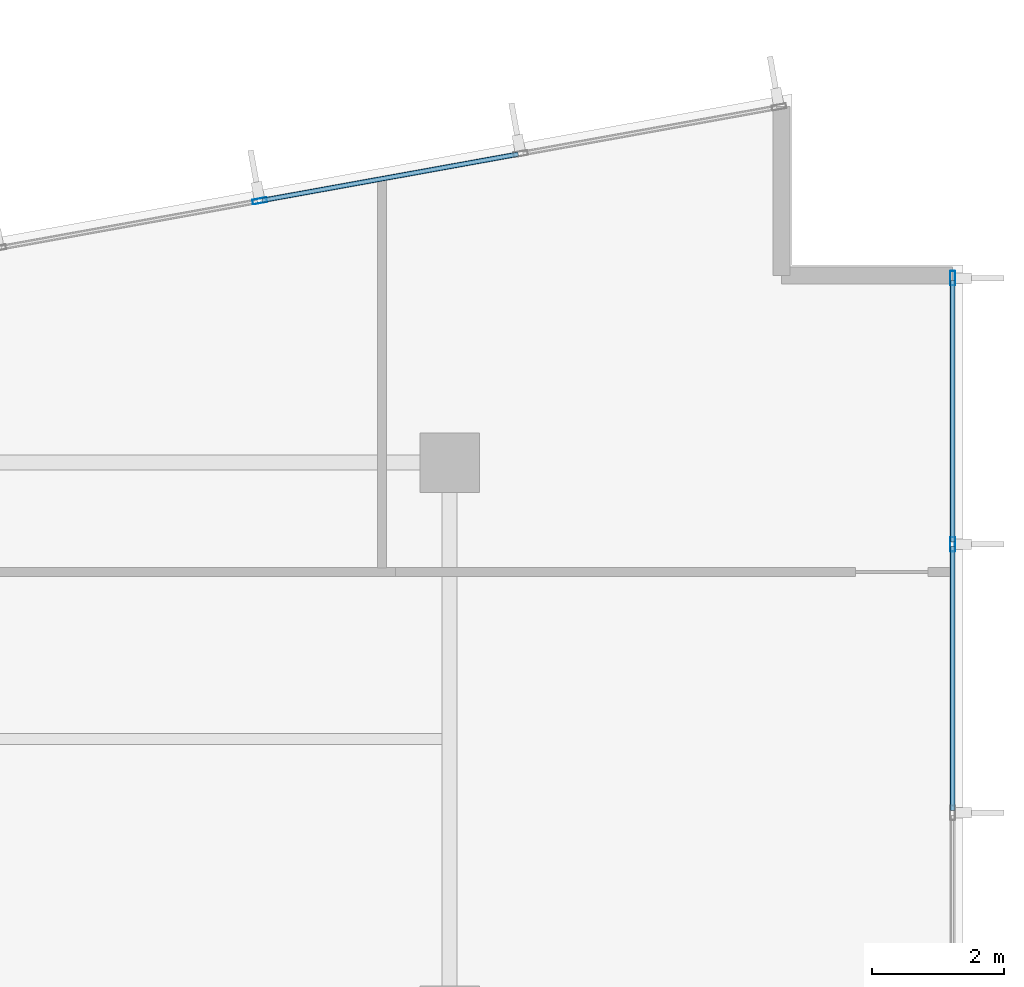
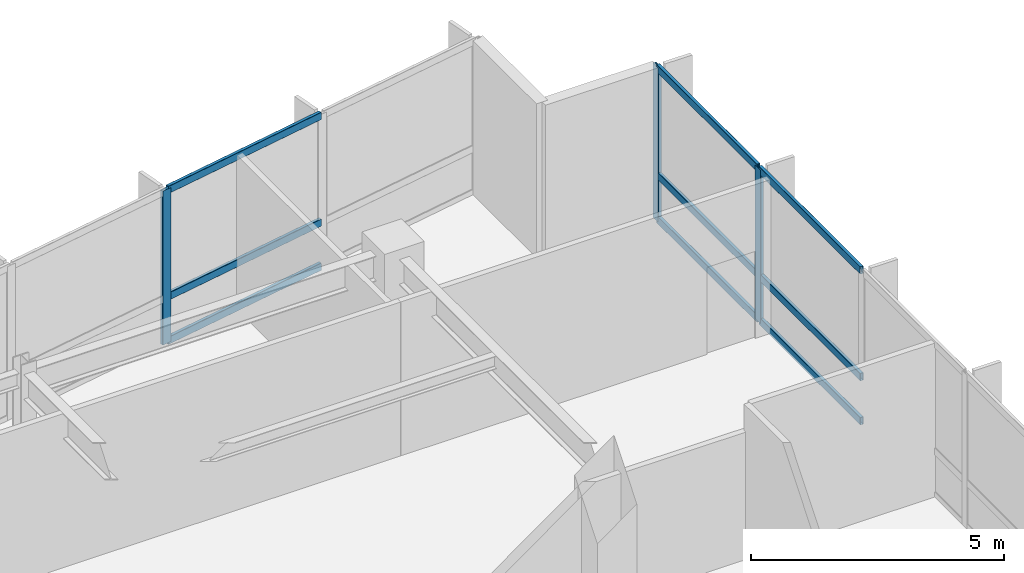
# One storey, part 9 of 20: 12 members, 2 elements without a shape of their own.
"""IFC4 building model written with IfcOpenShell, lengths in metres."""

from ifc_helpers import new_model, si_unit, direction, frame, origin, origin_2d, place, context, subcontext, project, spatial, hollow_rectangle, extrude, material, layer, layer_set, material_profile, profile_set, type_object, element, aggregate, save


model = new_model("IFC4")

# Units and contexts
model_context = context("Model", 3, precision=1e-05, world=origin(), true_north=direction((0.0, 1.0)))
body_context = subcontext(model_context, "Body", "Model", "MODEL_VIEW")
ifc_project = project(units=[si_unit("LENGTHUNIT", "METRE"), si_unit("AREAUNIT", "SQUARE_METRE"), si_unit("VOLUMEUNIT", "CUBIC_METRE"), si_unit("PLANEANGLEUNIT", "RADIAN"), si_unit("MASSUNIT", "GRAM", prefix="KILO")], contexts=[model_context])

# Site, building, storey
site_placement = place(None, origin())
site = spatial("IfcSite", under=ifc_project, at=site_placement, CompositionType="ELEMENT")
building_placement = place(site_placement, origin())
building = spatial("IfcBuilding", under=site, at=building_placement, Name="Varnakote Quay Hospital", CompositionType="ELEMENT")
storey_placement = place(building_placement, frame((0.0, 0.0, 46.199951171875)))
storey = spatial("IfcBuildingStorey", under=building, at=storey_placement, Name="L11", CompositionType="ELEMENT", Elevation=46.199951171875)

# Curtain wall, members
ifc_material_1 = material(Name="Anodised aluminium 6063-T6 Bronze", Category="aluminium")
ifc_layer = layer(ifc_material_1, 0.18994140625)
ifc_layer_set = layer_set([ifc_layer], Name="Anodised aluminium 6063-T6 Bronze")
curtain_wall_type = type_object("IfcCurtainWallType", Name="CW-SYS-2", PredefinedType="NOTDEFINED", material=ifc_layer_set)
curtain_wall_1_placement = place(storey_placement, origin())
curtain_wall_1 = element("IfcCurtainWall", 1, at=curtain_wall_1_placement, inside=storey, type_object=curtain_wall_type, Name="L11 Unitised Bronze Curtain Wall 1", PredefinedType="NOTDEFINED")
ifc_material_2 = material(Name="Anodised aluminium 6063-T6 Bronze", Category="aluminium")
ifc_material_profile_1 = material_profile(ifc_material_2, hollow_rectangle(XDim=0.074951171875, YDim=0.219970703125, WallThickness=0.00439453125, InnerFilletRadius=0.00439453125, OuterFilletRadius=0.009033203125, at=origin_2d()), Name="CW-MULL-220x75")
ifc_profile_set_1 = profile_set([ifc_material_profile_1], Name="Anodised aluminium 6063-T6 Bronze")
member_type_1 = type_object("IfcMemberType", Name="CW-MULL-220x75", PredefinedType="MULLION", material=ifc_profile_set_1)
member_1_placement = place(storey_placement, frame((58.0400390625, 27.56005859375, 0.0), z_axis=(0.0, 0.0, 1.0), x_axis=(-1.0, 0.0, 0.0)))
member_1 = element("IfcMember", 2, at=member_1_placement, type_object=member_type_1, Name="-2-L11-1 mullion 6", PredefinedType="MULLION", context=body_context, shape_type="SweptSolid", body=[
    extrude(hollow_rectangle(XDim=0.074951171875, YDim=0.219970703125, WallThickness=0.00439453125, InnerFilletRadius=0.00439453125, OuterFilletRadius=0.009033203125, at=origin_2d()), origin(), (0.0, 0.0, 1.0), 3.7099609375),
])
member_2_placement = place(storey_placement, frame((58.0400390625, 31.6025390625, 0.0), z_axis=(0.0, 0.0, 1.0), x_axis=(-1.0, 0.0, 0.0)))
member_2 = element("IfcMember", 3, at=member_2_placement, type_object=member_type_1, Name="-2-L11-1 mullion 7", PredefinedType="MULLION", context=body_context, shape_type="SweptSolid", body=[
    extrude(hollow_rectangle(XDim=0.074951171875, YDim=0.219970703125, WallThickness=0.00439453125, InnerFilletRadius=0.00439453125, OuterFilletRadius=0.009033203125, at=origin_2d()), origin(), (0.0, 0.0, 1.0), 3.7099609375),
])

# Curtain wall, member
curtain_wall_2_placement = place(storey_placement, origin())
curtain_wall_2 = element("IfcCurtainWall", 4, at=curtain_wall_2_placement, inside=storey, type_object=curtain_wall_type, Name="L11 Unitised Bronze Curtain Wall 2", PredefinedType="NOTDEFINED")
member_3_placement = place(storey_placement, frame((47.514892578125, 32.776123046875, 0.0), z_axis=(0.0, 0.0, 1.0), x_axis=(0.177846199098, -0.984058295766, 0.0)))
member_3 = element("IfcMember", 5, at=member_3_placement, type_object=member_type_1, Name="-2-L11-2 mullion 3", PredefinedType="MULLION", context=body_context, shape_type="SweptSolid", body=[
    extrude(hollow_rectangle(XDim=0.074951171875, YDim=0.219970703125, WallThickness=0.00439453125, InnerFilletRadius=0.00439453125, OuterFilletRadius=0.009033203125, at=origin_2d()), origin(), (0.0, 0.0, 1.0), 3.7099609375),
])

# Member
ifc_material_3 = material(Name="Anodised aluminium 6063-T6 Bronze", Category="aluminium")
ifc_material_profile_2 = material_profile(ifc_material_3, hollow_rectangle(XDim=0.074951171875, YDim=0.179931640625, WallThickness=0.004150390625, InnerFilletRadius=0.004150390625, OuterFilletRadius=0.00830078125, at=origin_2d()), Name="CW-TRAN-180x75")
ifc_profile_set_2 = profile_set([ifc_material_profile_2], Name="Anodised aluminium 6063-T6 Bronze")
member_type_2 = type_object("IfcMemberType", Name="CW-TRAN-180x75", PredefinedType="USERDEFINED", material=ifc_profile_set_2)
member_4_placement = place(storey_placement, frame((58.0400390625, 23.517578125, 0.03759765625), z_axis=(0.0, 1.0, 0.0), x_axis=(-1.0, 0.0, 0.0)))
member_4 = element("IfcMember", 6, at=member_4_placement, type_object=member_type_2, Name="-2-L11-1 transom 5.1", ObjectType="TRANSOM", PredefinedType="USERDEFINED", context=body_context, shape_type="SweptSolid", body=[
    extrude(hollow_rectangle(XDim=0.074951171875, YDim=0.179931640625, WallThickness=0.004150390625, InnerFilletRadius=0.004150390625, OuterFilletRadius=0.00830078125, at=origin_2d()), origin(), (0.0, 0.0, 1.0), 4.0048828125),
])

member_5_placement = place(storey_placement, frame((58.0400390625, 23.517578125, 1.10009765625), z_axis=(0.0, 1.0, 0.0), x_axis=(-1.0, 0.0, 0.0)))
member_5 = element("IfcMember", 7, at=member_5_placement, type_object=member_type_2, Name="-2-L11-1 transom 5.2", ObjectType="TRANSOM", PredefinedType="USERDEFINED", context=body_context, shape_type="SweptSolid", body=[
    extrude(hollow_rectangle(XDim=0.074951171875, YDim=0.179931640625, WallThickness=0.004150390625, InnerFilletRadius=0.004150390625, OuterFilletRadius=0.00830078125, at=origin_2d()), origin(), (0.0, 0.0, 1.0), 4.0048828125),
])

member_6_placement = place(storey_placement, frame((58.0400390625, 23.517578125, 3.672607421875), z_axis=(0.0, 1.0, 0.0), x_axis=(-1.0, 0.0, 0.0)))
member_6 = element("IfcMember", 8, at=member_6_placement, type_object=member_type_2, Name="-2-L11-1 transom 5.3", ObjectType="TRANSOM", PredefinedType="USERDEFINED", context=body_context, shape_type="SweptSolid", body=[
    extrude(hollow_rectangle(XDim=0.074951171875, YDim=0.179931640625, WallThickness=0.004150390625, InnerFilletRadius=0.004150390625, OuterFilletRadius=0.00830078125, at=origin_2d()), origin(), (0.0, 0.0, 1.0), 4.0048828125),
])

member_7_placement = place(storey_placement, frame((58.0400390625, 27.597412109375, 0.03759765625), z_axis=(0.0, 1.0, 0.0), x_axis=(-1.0, 0.0, 0.0)))
member_7 = element("IfcMember", 9, at=member_7_placement, type_object=member_type_2, Name="-2-L11-1 transom 6.1", ObjectType="TRANSOM", PredefinedType="USERDEFINED", context=body_context, shape_type="SweptSolid", body=[
    extrude(hollow_rectangle(XDim=0.074951171875, YDim=0.179931640625, WallThickness=0.004150390625, InnerFilletRadius=0.004150390625, OuterFilletRadius=0.00830078125, at=origin_2d()), origin(), (0.0, 0.0, 1.0), 3.967529296875),
])

member_8_placement = place(storey_placement, frame((58.0400390625, 27.597412109375, 1.10009765625), z_axis=(0.0, 1.0, 0.0), x_axis=(-1.0, 0.0, 0.0)))
member_8 = element("IfcMember", 10, at=member_8_placement, type_object=member_type_2, Name="-2-L11-1 transom 6.2", ObjectType="TRANSOM", PredefinedType="USERDEFINED", context=body_context, shape_type="SweptSolid", body=[
    extrude(hollow_rectangle(XDim=0.074951171875, YDim=0.179931640625, WallThickness=0.004150390625, InnerFilletRadius=0.004150390625, OuterFilletRadius=0.00830078125, at=origin_2d()), origin(), (0.0, 0.0, 1.0), 3.967529296875),
])

member_9_placement = place(storey_placement, frame((58.0400390625, 27.597412109375, 3.672607421875), z_axis=(0.0, 1.0, 0.0), x_axis=(-1.0, 0.0, 0.0)))
member_9 = element("IfcMember", 11, at=member_9_placement, type_object=member_type_2, Name="-2-L11-1 transom 6.3", ObjectType="TRANSOM", PredefinedType="USERDEFINED", context=body_context, shape_type="SweptSolid", body=[
    extrude(hollow_rectangle(XDim=0.074951171875, YDim=0.179931640625, WallThickness=0.004150390625, InnerFilletRadius=0.004150390625, OuterFilletRadius=0.00830078125, at=origin_2d()), origin(), (0.0, 0.0, 1.0), 3.967529296875),
])

aggregate(curtain_wall_1, [member_1, member_2, member_4, member_5, member_6, member_7, member_8, member_9])

member_10_placement = place(storey_placement, frame((51.4404296875, 33.485595703125, 0.03759765625), z_axis=(-0.984065046829, -0.177808840079, 0.0), x_axis=(0.177808840079, -0.984065046829, 0.0)))
member_10 = element("IfcMember", 12, at=member_10_placement, type_object=member_type_2, Name="-2-L11-2 transom 2.1", ObjectType="TRANSOM", PredefinedType="USERDEFINED", context=body_context, shape_type="SweptSolid", body=[
    extrude(hollow_rectangle(XDim=0.074951171875, YDim=0.179931640625, WallThickness=0.004150390625, InnerFilletRadius=0.004150390625, OuterFilletRadius=0.00830078125, at=origin_2d()), origin(), (0.0, 0.0, 1.0), 3.95166015625),
])

member_11_placement = place(storey_placement, frame((51.4404296875, 33.485595703125, 1.10009765625), z_axis=(-0.984065046829, -0.177808840079, 0.0), x_axis=(0.177808840079, -0.984065046829, 0.0)))
member_11 = element("IfcMember", 13, at=member_11_placement, type_object=member_type_2, Name="-2-L11-2 transom 2.2", ObjectType="TRANSOM", PredefinedType="USERDEFINED", context=body_context, shape_type="SweptSolid", body=[
    extrude(hollow_rectangle(XDim=0.074951171875, YDim=0.179931640625, WallThickness=0.004150390625, InnerFilletRadius=0.004150390625, OuterFilletRadius=0.00830078125, at=origin_2d()), origin(), (0.0, 0.0, 1.0), 3.95166015625),
])

member_12_placement = place(storey_placement, frame((51.4404296875, 33.485595703125, 3.672607421875), z_axis=(-0.984065046829, -0.177808840079, 0.0), x_axis=(0.177808840079, -0.984065046829, 0.0)))
member_12 = element("IfcMember", 14, at=member_12_placement, type_object=member_type_2, Name="-2-L11-2 transom 2.3", ObjectType="TRANSOM", PredefinedType="USERDEFINED", context=body_context, shape_type="SweptSolid", body=[
    extrude(hollow_rectangle(XDim=0.074951171875, YDim=0.179931640625, WallThickness=0.004150390625, InnerFilletRadius=0.004150390625, OuterFilletRadius=0.00830078125, at=origin_2d()), origin(), (0.0, 0.0, 1.0), 3.95166015625),
])

aggregate(curtain_wall_2, [member_3, member_10, member_11, member_12])

save(model, "model.ifc")
